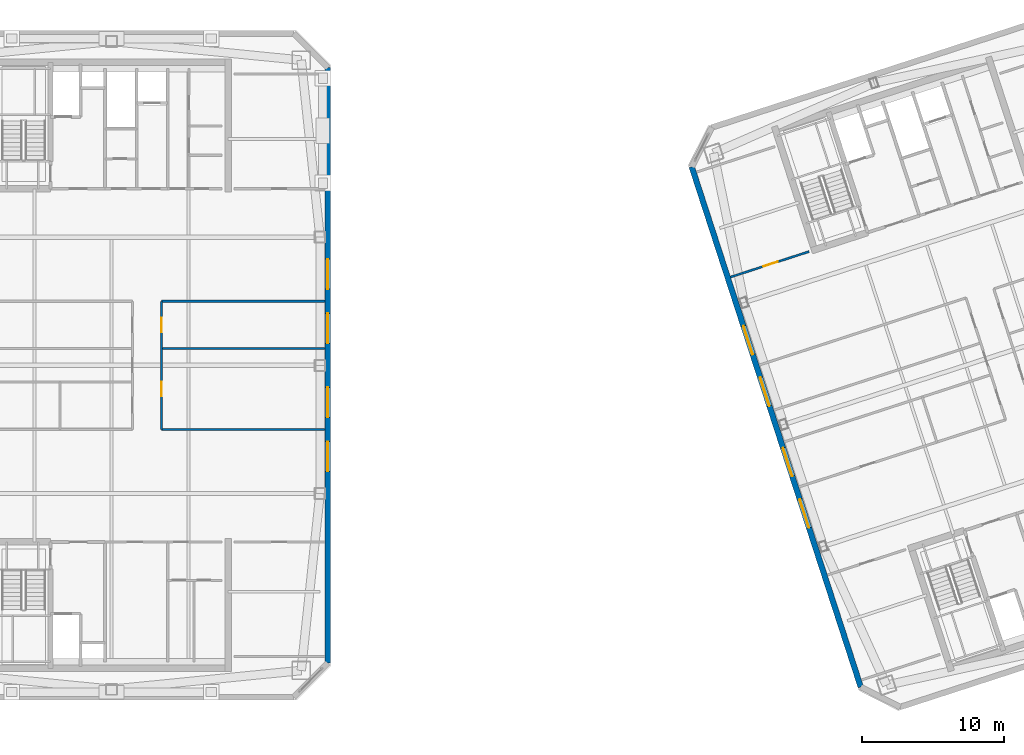
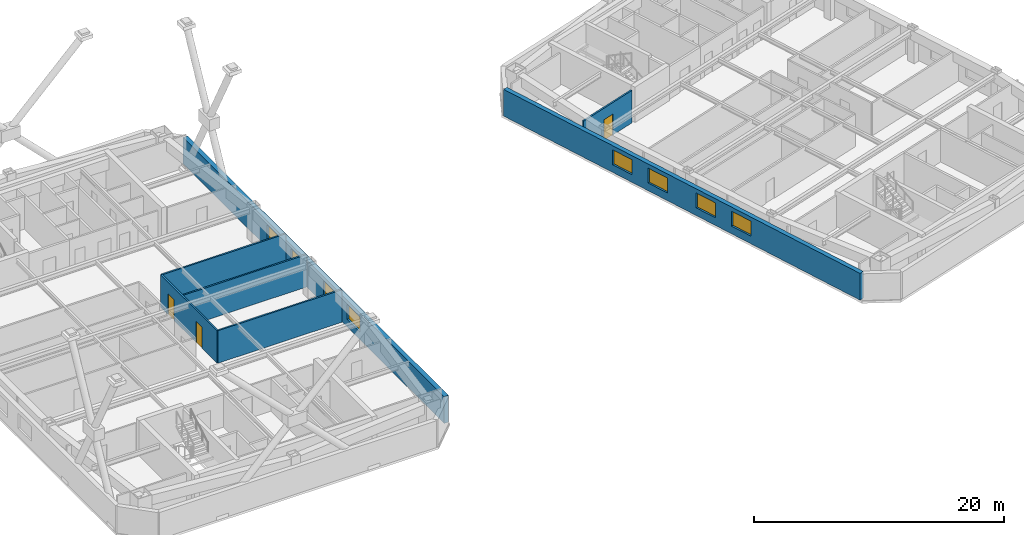
# One storey, part 14 of 20: 8 windows, 7 walls, 3 doors, 11 openings.
"""IFC4 building model written with IfcOpenShell, lengths in metres."""

from ifc_helpers import new_model, si_unit, direction, frame, frame_2d, origin, place, context, subcontext, project, spatial, rectangle, extrude, material, layer, layer_set, type_object, element, fill, save


model = new_model("IFC4")

# Units and contexts
model_context = context("Model", 3, precision=1e-05, world=origin(), true_north=direction((0.0, 1.0)))
body_context = subcontext(model_context, "Body", "Model", "MODEL_VIEW")
ifc_project = project(units=[si_unit("LENGTHUNIT", "METRE"), si_unit("AREAUNIT", "SQUARE_METRE"), si_unit("VOLUMEUNIT", "CUBIC_METRE"), si_unit("PLANEANGLEUNIT", "RADIAN"), si_unit("MASSUNIT", "GRAM", prefix="KILO")], contexts=[model_context])

# Site, building, storey
site_placement = place(None, origin())
site = spatial("IfcSite", under=ifc_project, at=site_placement, CompositionType="ELEMENT")
building_placement = place(site_placement, origin())
building = spatial("IfcBuilding", under=site, at=building_placement, Name="Qiaolan Cultural Towers", CompositionType="ELEMENT")
storey_placement = place(building_placement, frame((0.0, 0.0, 223.10009765625)))
storey = spatial("IfcBuildingStorey", under=building, at=storey_placement, Name="L60", CompositionType="ELEMENT", Elevation=223.10009765625)

# Wall, openings, windows
ifc_material_1 = material(Name="Precast Concrete C50 Honed Stone Pier", Category="masonry")
ifc_layer_1 = layer(ifc_material_1, 0.39990234375)
ifc_layer_set_1 = layer_set([ifc_layer_1], Name="Precast Concrete C50 Honed Stone Pier")
wall_type_1 = type_object("IfcWallType", Name="WL-EXT-PIER-400", PredefinedType="SOLIDWALL", material=ifc_layer_set_1)
wall_1_placement = place(storey_placement, frame((45.199951171875, 54.89990234375, 0.0), z_axis=(0.0, 0.0, 1.0), x_axis=(0.0, -1.0, 0.0)))
wall_1 = element("IfcWall", 1, at=wall_1_placement, inside=storey, type_object=wall_type_1, Name="L60 West Tower Precast Pier Facade Wall F5", PredefinedType="SOLIDWALL", context=body_context, shape_type="SweptSolid", body=[
    extrude(rectangle(XDim=41.7998046875, YDim=0.39990234375, at=frame_2d((20.89990234375, 0.0))), origin(), (0.0, 0.0, 1.0), 2.60986328125),
])
opening_1_placement = place(wall_1_placement, frame((26.25, 0.0, 0.75)))
opening_1 = element("IfcOpeningElement", 2, at=opening_1_placement, cuts=wall_1, Name="Opening W-05", PredefinedType="OPENING", context=body_context, shape_type="SweptSolid", body=[
    extrude(rectangle(XDim=2.10009765625, YDim=1.4599609375, at=frame_2d((1.050048828125, 0.72998046875))), frame((0.0, 0.2099609375, 0.0), z_axis=(0.0, -1.0, 0.0), x_axis=(1.0, 0.0, 0.0)), (0.0, 0.0, 1.0), 0.419921875),
])
opening_2_placement = place(wall_1_placement, frame((22.449951171875, 0.0, 0.75)))
opening_2 = element("IfcOpeningElement", 3, at=opening_2_placement, cuts=wall_1, Name="Opening W-05", PredefinedType="OPENING", context=body_context, shape_type="SweptSolid", body=[
    extrude(rectangle(XDim=2.10009765625, YDim=1.4599609375, at=frame_2d((1.050048828125, 0.72998046875))), frame((0.0, 0.2099609375, 0.0), z_axis=(0.0, -1.0, 0.0), x_axis=(1.0, 0.0, 0.0)), (0.0, 0.0, 1.0), 0.419921875),
])
opening_3_placement = place(wall_1_placement, frame((17.25, 0.0, 0.75)))
opening_3 = element("IfcOpeningElement", 4, at=opening_3_placement, cuts=wall_1, Name="Opening W-05", PredefinedType="OPENING", context=body_context, shape_type="SweptSolid", body=[
    extrude(rectangle(XDim=2.10009765625, YDim=1.4599609375, at=frame_2d((1.050048828125, 0.72998046875))), frame((0.0, 0.2099609375, 0.0), z_axis=(0.0, -1.0, 0.0), x_axis=(1.0, 0.0, 0.0)), (0.0, 0.0, 1.0), 0.419921875),
])
opening_4_placement = place(wall_1_placement, frame((13.449951171875, 0.0, 0.75)))
opening_4 = element("IfcOpeningElement", 5, at=opening_4_placement, cuts=wall_1, Name="Opening W-05", PredefinedType="OPENING", context=body_context, shape_type="SweptSolid", body=[
    extrude(rectangle(XDim=2.10009765625, YDim=1.4599609375, at=frame_2d((1.050048828125, 0.72998046875))), frame((0.0, 0.2099609375, 0.0), z_axis=(0.0, -1.0, 0.0), x_axis=(1.0, 0.0, 0.0)), (0.0, 0.0, 1.0), 0.419921875),
])
ifc_material_2 = material(Name="Thermally Broken Aluminium Triple Low-E Glazing", Category="aluminium")
window_type = type_object("IfcWindowType", Name="WN-CHIC-2100", PartitioningType="SINGLE_PANEL", PredefinedType="WINDOW", material=ifc_material_2)
window_1_placement = place(opening_1_placement, origin())
window_1 = element("IfcWindow", 6, at=window_1_placement, inside=storey, type_object=window_type, Name="L60 T1 E Chicago Bay Window 1", OverallHeight=1.4599609375, OverallWidth=2.10009765625, PartitioningType="TRIPLE_PANEL_VERTICAL", PredefinedType="WINDOW", context=body_context, shape_type="SweptSolid", body=[
    extrude(rectangle(XDim=2.10009765625, YDim=1.4599609375, at=frame_2d((1.050048828125, 0.72998046875))), frame((0.0, 0.030029296875, 0.0), z_axis=(0.0, -1.0, 0.0), x_axis=(1.0, 0.0, 0.0)), (0.0, 0.0, 1.0), 0.06005859375),
])
fill(opening_1, window_1)
window_2_placement = place(opening_2_placement, origin())
window_2 = element("IfcWindow", 7, at=window_2_placement, inside=storey, type_object=window_type, Name="L60 T1 E Chicago Bay Window 2", OverallHeight=1.4599609375, OverallWidth=2.10009765625, PartitioningType="TRIPLE_PANEL_VERTICAL", PredefinedType="WINDOW", context=body_context, shape_type="SweptSolid", body=[
    extrude(rectangle(XDim=2.10009765625, YDim=1.4599609375, at=frame_2d((1.050048828125, 0.72998046875))), frame((0.0, 0.030029296875, 0.0), z_axis=(0.0, -1.0, 0.0), x_axis=(1.0, 0.0, 0.0)), (0.0, 0.0, 1.0), 0.06005859375),
])
fill(opening_2, window_2)
window_3_placement = place(opening_3_placement, origin())
window_3 = element("IfcWindow", 8, at=window_3_placement, inside=storey, type_object=window_type, Name="L60 T1 E Chicago Bay Window 3", OverallHeight=1.4599609375, OverallWidth=2.10009765625, PartitioningType="TRIPLE_PANEL_VERTICAL", PredefinedType="WINDOW", context=body_context, shape_type="SweptSolid", body=[
    extrude(rectangle(XDim=2.10009765625, YDim=1.4599609375, at=frame_2d((1.050048828125, 0.72998046875))), frame((0.0, 0.030029296875, 0.0), z_axis=(0.0, -1.0, 0.0), x_axis=(1.0, 0.0, 0.0)), (0.0, 0.0, 1.0), 0.06005859375),
])
fill(opening_3, window_3)
window_4_placement = place(opening_4_placement, origin())
window_4 = element("IfcWindow", 9, at=window_4_placement, inside=storey, type_object=window_type, Name="L60 T1 E Chicago Bay Window 4", OverallHeight=1.4599609375, OverallWidth=2.10009765625, PartitioningType="TRIPLE_PANEL_VERTICAL", PredefinedType="WINDOW", context=body_context, shape_type="SweptSolid", body=[
    extrude(rectangle(XDim=2.10009765625, YDim=1.4599609375, at=frame_2d((1.050048828125, 0.72998046875))), frame((0.0, 0.030029296875, 0.0), z_axis=(0.0, -1.0, 0.0), x_axis=(1.0, 0.0, 0.0)), (0.0, 0.0, 1.0), 0.06005859375),
])
fill(opening_4, window_4)

wall_2_placement = place(storey_placement, frame((82.618408203125, 11.41357421875, 0.0), z_axis=(0.0, 0.0, 1.0), x_axis=(-0.309016491071, 0.951056679828, 0.0)))
wall_2 = element("IfcWall", 10, at=wall_2_placement, inside=storey, type_object=wall_type_1, Name="L60 East Tower Precast Pier Facade Wall F1", PredefinedType="SOLIDWALL", context=body_context, shape_type="SweptSolid", body=[
    extrude(rectangle(XDim=38.39990234375, YDim=0.39990234375, at=frame_2d((19.199951171875, 0.0))), origin(), (0.0, 0.0, 1.0), 2.60986328125),
])
opening_5_placement = place(wall_2_placement, frame((11.75, 0.0, 0.75)))
opening_5 = element("IfcOpeningElement", 11, at=opening_5_placement, cuts=wall_2, Name="Opening W-05", PredefinedType="OPENING", context=body_context, shape_type="SweptSolid", body=[
    extrude(rectangle(XDim=2.10009765625, YDim=1.4599609375, at=frame_2d((1.050048828125, 0.72998046875))), frame((0.0, 0.2099609375, 0.0), z_axis=(0.0, -1.0, 0.0), x_axis=(1.0, 0.0, 0.0)), (0.0, 0.0, 1.0), 0.419921875),
])
opening_6_placement = place(wall_2_placement, frame((15.550048828125, 0.0, 0.75)))
opening_6 = element("IfcOpeningElement", 12, at=opening_6_placement, cuts=wall_2, Name="Opening W-05", PredefinedType="OPENING", context=body_context, shape_type="SweptSolid", body=[
    extrude(rectangle(XDim=2.10009765625, YDim=1.4599609375, at=frame_2d((1.050048828125, 0.72998046875))), frame((0.0, 0.2099609375, 0.0), z_axis=(0.0, -1.0, 0.0), x_axis=(1.0, 0.0, 0.0)), (0.0, 0.0, 1.0), 0.419921875),
])
opening_7_placement = place(wall_2_placement, frame((20.75, 0.0, 0.75)))
opening_7 = element("IfcOpeningElement", 13, at=opening_7_placement, cuts=wall_2, Name="Opening W-05", PredefinedType="OPENING", context=body_context, shape_type="SweptSolid", body=[
    extrude(rectangle(XDim=2.10009765625, YDim=1.4599609375, at=frame_2d((1.050048828125, 0.72998046875))), frame((0.0, 0.2099609375, 0.0), z_axis=(0.0, -1.0, 0.0), x_axis=(1.0, 0.0, 0.0)), (0.0, 0.0, 1.0), 0.419921875),
])
opening_8_placement = place(wall_2_placement, frame((24.550048828125, 0.0, 0.75)))
opening_8 = element("IfcOpeningElement", 14, at=opening_8_placement, cuts=wall_2, Name="Opening W-05", PredefinedType="OPENING", context=body_context, shape_type="SweptSolid", body=[
    extrude(rectangle(XDim=2.10009765625, YDim=1.4599609375, at=frame_2d((1.050048828125, 0.72998046875))), frame((0.0, 0.2099609375, 0.0), z_axis=(0.0, -1.0, 0.0), x_axis=(1.0, 0.0, 0.0)), (0.0, 0.0, 1.0), 0.419921875),
])
window_5_placement = place(opening_5_placement, origin())
window_5 = element("IfcWindow", 15, at=window_5_placement, inside=storey, type_object=window_type, Name="L60 T2 W Chicago Bay Window 1", OverallHeight=1.4599609375, OverallWidth=2.10009765625, PartitioningType="TRIPLE_PANEL_VERTICAL", PredefinedType="WINDOW", context=body_context, shape_type="SweptSolid", body=[
    extrude(rectangle(XDim=2.10009765625, YDim=1.4599609375, at=frame_2d((1.050048828125, 0.72998046875))), frame((0.0, 0.030029296875, 0.0), z_axis=(0.0, -1.0, 0.0), x_axis=(1.0, 0.0, 0.0)), (0.0, 0.0, 1.0), 0.06005859375),
])
fill(opening_5, window_5)
window_6_placement = place(opening_6_placement, origin())
window_6 = element("IfcWindow", 16, at=window_6_placement, inside=storey, type_object=window_type, Name="L60 T2 W Chicago Bay Window 2", OverallHeight=1.4599609375, OverallWidth=2.10009765625, PartitioningType="TRIPLE_PANEL_VERTICAL", PredefinedType="WINDOW", context=body_context, shape_type="SweptSolid", body=[
    extrude(rectangle(XDim=2.10009765625, YDim=1.4599609375, at=frame_2d((1.050048828125, 0.72998046875))), frame((0.0, 0.030029296875, 0.0), z_axis=(0.0, -1.0, 0.0), x_axis=(1.0, 0.0, 0.0)), (0.0, 0.0, 1.0), 0.06005859375),
])
fill(opening_6, window_6)
window_7_placement = place(opening_7_placement, origin())
window_7 = element("IfcWindow", 17, at=window_7_placement, inside=storey, type_object=window_type, Name="L60 T2 W Chicago Bay Window 3", OverallHeight=1.4599609375, OverallWidth=2.10009765625, PartitioningType="TRIPLE_PANEL_VERTICAL", PredefinedType="WINDOW", context=body_context, shape_type="SweptSolid", body=[
    extrude(rectangle(XDim=2.10009765625, YDim=1.4599609375, at=frame_2d((1.050048828125, 0.72998046875))), frame((0.0, 0.030029296875, 0.0), z_axis=(0.0, -1.0, 0.0), x_axis=(1.0, 0.0, 0.0)), (0.0, 0.0, 1.0), 0.06005859375),
])
fill(opening_7, window_7)
window_8_placement = place(opening_8_placement, origin())
window_8 = element("IfcWindow", 18, at=window_8_placement, inside=storey, type_object=window_type, Name="L60 T2 W Chicago Bay Window 4", OverallHeight=1.4599609375, OverallWidth=2.10009765625, PartitioningType="TRIPLE_PANEL_VERTICAL", PredefinedType="WINDOW", context=body_context, shape_type="SweptSolid", body=[
    extrude(rectangle(XDim=2.10009765625, YDim=1.4599609375, at=frame_2d((1.050048828125, 0.72998046875))), frame((0.0, 0.030029296875, 0.0), z_axis=(0.0, -1.0, 0.0), x_axis=(1.0, 0.0, 0.0)), (0.0, 0.0, 1.0), 0.06005859375),
])
fill(opening_8, window_8)

# Walls
ifc_material_3 = material(Name="Autoclaved Aerated Concrete Block B06", Category="concrete")
ifc_layer_2 = layer(ifc_material_3, 0.14990234375)
ifc_layer_set_2 = layer_set([ifc_layer_2], Name="Autoclaved Aerated Concrete Block B06")
wall_type_2 = type_object("IfcWallType", Name="WL-PART-150", PredefinedType="PARTITIONING", material=ifc_layer_set_2)
for number, where, z_axis, x_axis, name in (
    (19, (33.52490234375, 29.5, 0.0), (0.0, 0.0, 1.0), (1.0, 0.0, 0.0), "L60 T1 South Foyer East Wall"),
    (20, (33.52490234375, 38.5, 0.0), (0.0, 0.0, 1.0), (1.0, 0.0, 0.0), "L60 T1 North Foyer East Wall"),
):
    element("IfcWall", number, at=place(storey_placement, frame(where, z_axis=z_axis, x_axis=x_axis)), inside=storey, type_object=wall_type_2, Name=name, PredefinedType="PARTITIONING", context=body_context, shape_type="SweptSolid", body=[
        extrude(rectangle(XDim=11.47509765625, YDim=0.14990234375, at=frame_2d((5.737548828125, 0.0))), origin(), (0.0, 0.0, 1.0), 3.1748046875),
    ])

# Wall, openings, doors
wall_3_placement = place(storey_placement, frame((33.52490234375, 29.5, 0.0), z_axis=(0.0, 0.0, 1.0), x_axis=(0.0, 1.0, 0.0)))
wall_3 = element("IfcWall", 21, at=wall_3_placement, inside=storey, type_object=wall_type_2, Name="L60 T1 Central Spine East Wall", PredefinedType="PARTITIONING", context=body_context, shape_type="SweptSolid", body=[
    extrude(rectangle(XDim=9.0, YDim=0.14990234375, at=frame_2d((4.5, 0.0))), origin(), (0.0, 0.0, 1.0), 3.1748046875),
])
opening_9_placement = place(wall_3_placement, frame((2.3349609375, 0.0, 0.0)))
opening_9 = element("IfcOpeningElement", 22, at=opening_9_placement, cuts=wall_3, Name="Opening ID-04", PredefinedType="OPENING", context=body_context, shape_type="SweptSolid", body=[
    extrude(rectangle(XDim=1.0, YDim=2.050048828125, at=frame_2d((0.5, 1.02490234375))), frame((0.0, 0.0849609375, 0.0), z_axis=(0.0, -1.0, 0.0), x_axis=(1.0, 0.0, 0.0)), (0.0, 0.0, 1.0), 0.169921875),
])
opening_10_placement = place(wall_3_placement, frame((6.8349609375, 0.0, 0.0)))
opening_10 = element("IfcOpeningElement", 23, at=opening_10_placement, cuts=wall_3, Name="Opening ID-04", PredefinedType="OPENING", context=body_context, shape_type="SweptSolid", body=[
    extrude(rectangle(XDim=1.0, YDim=2.050048828125, at=frame_2d((0.5, 1.02490234375))), frame((0.0, 0.0849609375, 0.0), z_axis=(0.0, -1.0, 0.0), x_axis=(1.0, 0.0, 0.0)), (0.0, 0.0, 1.0), 0.169921875),
])
ifc_material_4 = material(Name="Oak Veneer Acoustic Office Door", Category="timber")
door_type_1 = type_object("IfcDoorType", Name="DR-INT-1000", OperationType="NOTDEFINED", PredefinedType="DOOR", material=ifc_material_4)
door_1_placement = place(opening_9_placement, origin())
door_1 = element("IfcDoor", 24, at=door_1_placement, inside=storey, type_object=door_type_1, Name="L60 T1 Board Conference Room Door", OperationType="SINGLE_SWING_RIGHT", OverallHeight=2.050048828125, OverallWidth=1.0, PredefinedType="DOOR", context=body_context, shape_type="SweptSolid", body=[
    extrude(rectangle(XDim=1.0, YDim=2.050048828125, at=frame_2d((0.5, 1.02490234375))), frame((0.0, 0.02490234375, 0.0), z_axis=(0.0, -1.0, 0.0), x_axis=(1.0, 0.0, 0.0)), (0.0, 0.0, 1.0), 0.050048828125),
])
fill(opening_9, door_1)
door_2_placement = place(opening_10_placement, origin())
door_2 = element("IfcDoor", 25, at=door_2_placement, inside=storey, type_object=door_type_1, Name="L60 T1 Executive Lounge Door", OperationType="SINGLE_SWING_LEFT", OverallHeight=2.050048828125, OverallWidth=1.0, PredefinedType="DOOR", context=body_context, shape_type="SweptSolid", body=[
    extrude(rectangle(XDim=1.0, YDim=2.050048828125, at=frame_2d((0.5, 1.02490234375))), frame((0.0, 0.02490234375, 0.0), z_axis=(0.0, -1.0, 0.0), x_axis=(1.0, 0.0, 0.0)), (0.0, 0.0, 1.0), 0.050048828125),
])
fill(opening_10, door_2)

# Wall
wall_4_placement = place(storey_placement, frame((33.52490234375, 35.169921875, 0.0), z_axis=(0.0, 0.0, 1.0), x_axis=(1.0, 0.0, 0.0)))
element("IfcWall", 26, at=wall_4_placement, inside=storey, type_object=wall_type_2, Name="L60 T1 Interior Wall", PredefinedType="PARTITIONING", context=body_context, shape_type="SweptSolid", body=[
    extrude(rectangle(XDim=11.47509765625, YDim=0.14990234375, at=frame_2d((5.737548828125, 0.0))), origin(), (0.0, 0.0, 1.0), 3.1748046875),
])

# Wall, opening, door
wall_5_placement = place(storey_placement, frame((73.476318359375, 40.197265625, 0.0), z_axis=(0.0, 0.0, 1.0), x_axis=(0.951059431056, 0.309008023519, 0.0)))
wall_5 = element("IfcWall", 27, at=wall_5_placement, inside=storey, type_object=wall_type_2, Name="L60 T2 Flank Front FLK-NW", PredefinedType="PARTITIONING", context=body_context, shape_type="SweptSolid", body=[
    extrude(rectangle(XDim=5.800048828125, YDim=0.14990234375, at=frame_2d((2.89990234375, 0.0))), origin(), (0.0, 0.0, 1.0), 3.1748046875),
])
opening_11_placement = place(wall_5_placement, frame((2.43603515625, 0.0, 0.0)))
opening_11 = element("IfcOpeningElement", 28, at=opening_11_placement, cuts=wall_5, Name="Opening ID-07", PredefinedType="OPENING", context=body_context, shape_type="SweptSolid", body=[
    extrude(rectangle(XDim=1.050048828125, YDim=2.050048828125, at=frame_2d((0.52490234375, 1.02490234375))), frame((0.0, 0.0849609375, 0.0), z_axis=(0.0, -1.0, 0.0), x_axis=(1.0, 0.0, 0.0)), (0.0, 0.0, 1.0), 0.169921875),
])
ifc_material_5 = material(Name="Oak Veneer Consultation Door", Category="timber")
door_type_2 = type_object("IfcDoorType", Name="DR-INT-1050", OperationType="NOTDEFINED", PredefinedType="DOOR", material=ifc_material_5)
door_3_placement = place(opening_11_placement, origin())
door_3 = element("IfcDoor", 29, at=door_3_placement, inside=storey, type_object=door_type_2, Name="L60 T2 Corner Studio Door", OperationType="SINGLE_SWING_LEFT", OverallHeight=2.050048828125, OverallWidth=1.050048828125, PredefinedType="DOOR", context=body_context, shape_type="SweptSolid", body=[
    extrude(rectangle(XDim=1.050048828125, YDim=2.050048828125, at=frame_2d((0.52490234375, 1.02490234375))), frame((0.0, 0.02490234375, 0.0), z_axis=(0.0, -1.0, 0.0), x_axis=(1.0, 0.0, 0.0)), (0.0, 0.0, 1.0), 0.050048828125),
])
fill(opening_11, door_3)

save(model, "model.ifc")
